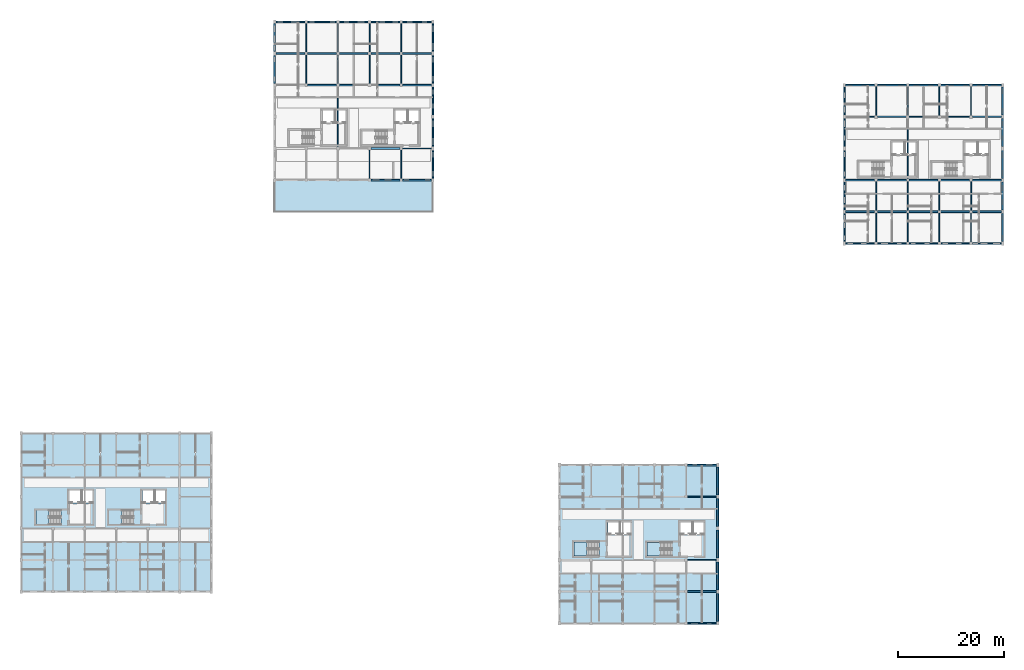
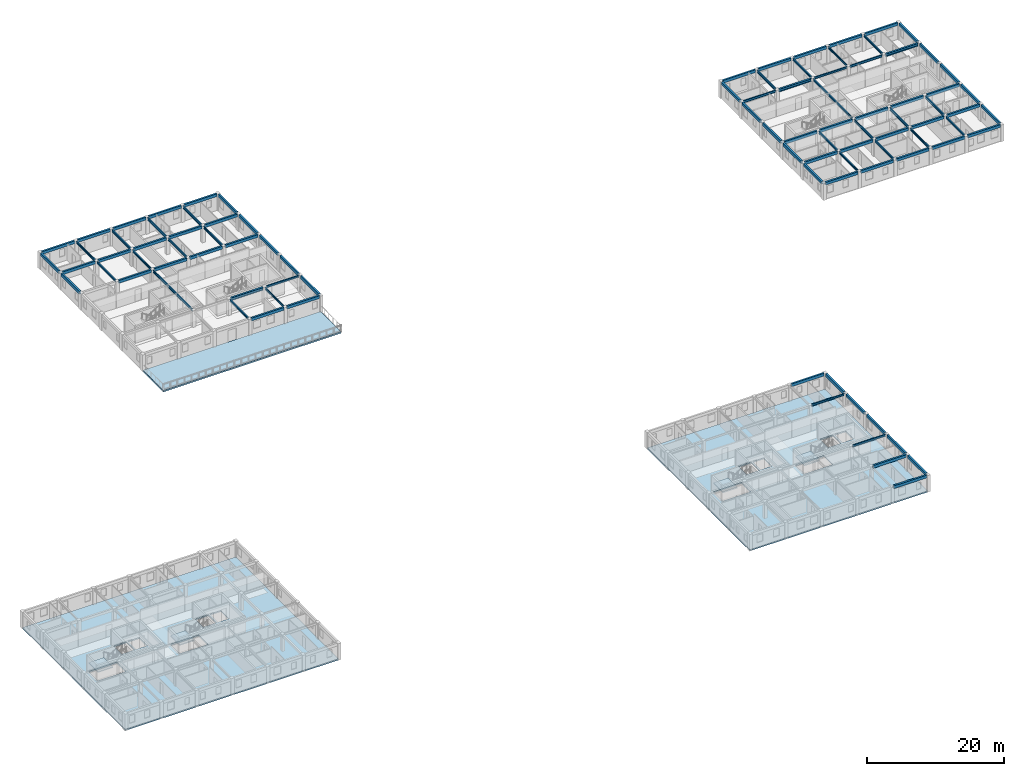
# One storey, part 4 of 28: 94 beams, 7 slabs, 4 elements without a shape of their own.
"""IFC4 building model written with IfcOpenShell, lengths in metres."""

import ifcopenshell
import ifcopenshell.guid

model = None  # the IFC model being written
_history = None  # IfcOwnerHistory: only IFC2X3 demands one
_inside = {}  # id of a spatial element -> (the spatial element, [elements in it])
_under = {}  # id of a project, library or spatial element -> (it, [spatial elements below it])
_declared = {}  # id of a project -> (the project, [libraries it declares])
_typed = {}  # id of a type object -> (the type object, [elements of that type])
_made_of = {}  # id of a material, layer set ... -> (it, [elements and type objects made of it])


def new_model(schema):
    """Start an empty IFC model of exactly this schema.

    Asked for "IFC4X3", IfcOpenShell would pick the latest addendum, in which some entities
    have other attributes; the version numbers below select the first issue.
    IFC2X3 requires an IfcOwnerHistory on every rooted entity: one is made here for all.
    """
    global model, _history
    if schema == "IFC4X3":
        model = ifcopenshell.file(schema_version=(4, 3, 0, 0))
    else:
        model = ifcopenshell.file(schema=schema)
    _inside.clear()
    _under.clear()
    _declared.clear()
    _typed.clear()
    _made_of.clear()
    _history = None
    if model.schema == "IFC2X3":
        org = make("IfcOrganization", Name="unknown")
        user = make(
            "IfcPersonAndOrganization",
            ThePerson=make("IfcPerson", FamilyName="unknown"),
            TheOrganization=org,
        )
        app = make(
            "IfcApplication",
            ApplicationDeveloper=org,
            Version="unknown",
            ApplicationFullName="unknown",
            ApplicationIdentifier="unknown",
        )
        _history = make(
            "IfcOwnerHistory",
            OwningUser=user,
            OwningApplication=app,
            ChangeAction="ADDED",
            CreationDate=0,
        )
    return model


def make(cls, **values):
    """One entity of the class cls with the attributes given. An attribute that is None is left unset."""
    return model.create_entity(
        cls, **{name: value for name, value in values.items() if value is not None}
    )


def rooted(cls, **values):
    """An entity with a GlobalId (a new one), such as an element, a storey or a relation."""
    return make(cls, GlobalId=ifcopenshell.guid.new(), OwnerHistory=_history, **values)


def si_unit(unit_type, name, prefix=None):
    """IfcSIUnit, for example si_unit("LENGTHUNIT", "METRE", prefix="MILLI")."""
    return make("IfcSIUnit", UnitType=unit_type, Prefix=prefix, Name=name)


def assignment(units):
    """IfcUnitAssignment: the units of a project."""
    return None if units is None else make("IfcUnitAssignment", Units=units)


def point(xyz):
    """IfcCartesianPoint."""
    return None if xyz is None else make("IfcCartesianPoint", Coordinates=xyz)


def direction(xyz):
    """IfcDirection."""
    return None if xyz is None else make("IfcDirection", DirectionRatios=xyz)


def frame(location, z_axis=None, x_axis=None):
    """IfcAxis2Placement3D, a coordinate frame: its origin and axes. An axis left out is left unset."""
    return make(
        "IfcAxis2Placement3D",
        Location=point(location),
        Axis=direction(z_axis),
        RefDirection=direction(x_axis),
    )


def frame_2d(location, x_axis=None):
    """IfcAxis2Placement2D, a coordinate frame in the plane: its origin and x axis."""
    return make(
        "IfcAxis2Placement2D", Location=point(location), RefDirection=direction(x_axis)
    )


def origin():
    """The frame at (0, 0, 0) with its axes left unset."""
    return frame((0.0, 0.0, 0.0))


def origin_2d():
    """The frame at (0, 0) in the plane with its x axis left unset."""
    return frame_2d((0.0, 0.0))


def place(relative_to, where):
    """IfcLocalPlacement: puts the frame where relative to a parent placement (None: the world)."""
    return make(
        "IfcLocalPlacement", PlacementRelTo=relative_to, RelativePlacement=where
    )


def context(
    kind, dimensions, precision=None, world=None, true_north=None, identifier=None
):
    """IfcGeometricRepresentationContext, for example the 3D "Model" context."""
    return make(
        "IfcGeometricRepresentationContext",
        ContextIdentifier=identifier,
        ContextType=kind,
        CoordinateSpaceDimension=dimensions,
        Precision=precision,
        WorldCoordinateSystem=world,
        TrueNorth=true_north,
    )


def subcontext(parent, identifier, kind, view, scale=None):
    """IfcGeometricRepresentationSubContext, for example "Body" below "Model"."""
    return make(
        "IfcGeometricRepresentationSubContext",
        ContextIdentifier=identifier,
        ContextType=kind,
        ParentContext=parent,
        TargetScale=scale,
        TargetView=view,
    )


def project(units=None, contexts=None):
    """IfcProject with its units and contexts."""
    return rooted(
        "IfcProject",
        Name="project",
        RepresentationContexts=contexts,
        UnitsInContext=assignment(units),
    )


def spatial(cls, under=None, at=None, **own):
    """A site, building, storey or space (cls), placed at a placement, below another one or the project."""
    s = rooted(cls, ObjectPlacement=at, **own)
    if under is not None:
        _under.setdefault(under.id(), (under, []))[1].append(s)
    return s


def polyline(points):
    """IfcPolyline through the points."""
    return make("IfcPolyline", Points=[point(p) for p in points])


def profile(cls, at=None, kind="AREA", **sizes):
    """A parametric profile (cls). Its sizes go by their IFC names, for example OverallWidth=200.0."""
    return make(cls, ProfileType=kind, Position=at, **sizes)


def rectangle(**sizes):
    """IfcRectangleProfileDef."""
    return profile("IfcRectangleProfileDef", **sizes)


def i_section(**sizes):
    """IfcIShapeProfileDef."""
    return profile("IfcIShapeProfileDef", **sizes)


def outline(outer, holes=None, kind="AREA"):
    """IfcArbitraryClosedProfileDef: a profile drawn as a closed curve; with holes, ...WithVoids."""
    if holes is None:
        return make("IfcArbitraryClosedProfileDef", ProfileType=kind, OuterCurve=outer)
    return make(
        "IfcArbitraryProfileDefWithVoids",
        ProfileType=kind,
        OuterCurve=outer,
        InnerCurves=holes,
    )


def extrude(swept, where, along, depth):
    """IfcExtrudedAreaSolid: the profile swept, set in the frame where, extruded along a direction by depth."""
    return make(
        "IfcExtrudedAreaSolid",
        SweptArea=swept,
        Position=where,
        ExtrudedDirection=direction(along),
        Depth=depth,
    )


def shape(context_of_items, identifier, shape_type, items):
    """IfcShapeRepresentation: the items that make up one representation, for example the "Body"."""
    return make(
        "IfcShapeRepresentation",
        ContextOfItems=context_of_items,
        RepresentationIdentifier=identifier,
        RepresentationType=shape_type,
        Items=items,
    )


def material(Name=None, Category=None):
    """IfcMaterial."""
    return make("IfcMaterial", Name=Name, Category=Category)


def layer(
    of_material, thickness, ventilated=None, Name=None, Category=None, Priority=None
):
    """IfcMaterialLayer: one layer of a wall or slab, of a material (None: an air gap)."""
    return make(
        "IfcMaterialLayer",
        Material=of_material,
        LayerThickness=thickness,
        IsVentilated=ventilated,
        Name=Name,
        Category=Category,
        Priority=Priority,
    )


def layer_set(layers, Name=None):
    """IfcMaterialLayerSet."""
    return make("IfcMaterialLayerSet", MaterialLayers=layers, LayerSetName=Name)


def material_profile(
    of_material, cross_section, Name=None, Category=None, Priority=None
):
    """IfcMaterialProfile: a cross section and its material."""
    return make(
        "IfcMaterialProfile",
        Name=Name,
        Material=of_material,
        Profile=cross_section,
        Priority=Priority,
        Category=Category,
    )


def profile_set(profiles, Name=None, composite=None):
    """IfcMaterialProfileSet."""
    return make(
        "IfcMaterialProfileSet",
        Name=Name,
        MaterialProfiles=profiles,
        CompositeProfile=composite,
    )


def made_of(thing, what):
    """Note that an element or type object is made of a material, layer set ...; save() writes the relation."""
    if what is not None:
        _made_of.setdefault(what.id(), (what, []))[1].append(thing)
    return thing


def type_object(cls, material=None, **own):
    """A type object (cls), such as IfcWallType, which elements share."""
    return made_of(rooted(cls, **own), material)


def element(
    cls,
    number,
    at=None,
    inside=None,
    cuts=None,
    type_object=None,
    material=None,
    context=None,
    identifier="Body",
    shape_type=None,
    held_by="IfcProductDefinitionShape",
    body=None,
    shapes=None,
    **own,
):
    """One element of the class cls, such as IfcWall. Its Tag is "e" and its number.

    at: its placement. inside: the storey or other place that contains it. cuts: it is an
    opening in that element (IfcRelVoidsElement). A single representation is given by context,
    identifier, shape_type and body (its items); several are given by shapes. held_by: the class
    of the entity that holds the representations. save() writes the other relations.
    """
    e = rooted(cls, Tag="e%d" % number, ObjectPlacement=at, **own)
    if body is not None:
        shapes = [shape(context, identifier, shape_type, body)]
    if shapes is not None:
        e.Representation = make(held_by, Representations=shapes)
    if inside is not None:
        _inside.setdefault(inside.id(), (inside, []))[1].append(e)
    if cuts is not None:
        rooted(
            "IfcRelVoidsElement", RelatingBuildingElement=cuts, RelatedOpeningElement=e
        )
    if type_object is not None:
        _typed.setdefault(type_object.id(), (type_object, []))[1].append(e)
    return made_of(e, material)


def aggregate(whole, parts):
    """IfcRelAggregates: a whole, such as a stair, and the parts it consists of."""
    return rooted("IfcRelAggregates", RelatingObject=whole, RelatedObjects=parts)


def save(model, path):
    """Write the relations noted so far, then the file.

    IfcRelAggregates (storeys below a building ...), IfcRelContainedInSpatialStructure (elements
    in a storey), IfcRelDefinesByType, IfcRelAssociatesMaterial and IfcRelDeclares: one each for
    every whole, place, type object, material and project.
    """
    for whole, parts in _under.values():
        aggregate(whole, parts)
    for where, things in _inside.values():
        rooted(
            "IfcRelContainedInSpatialStructure",
            RelatedElements=things,
            RelatingStructure=where,
        )
    for kind, things in _typed.values():
        rooted("IfcRelDefinesByType", RelatedObjects=things, RelatingType=kind)
    for what, things in _made_of.values():
        rooted("IfcRelAssociatesMaterial", RelatedObjects=things, RelatingMaterial=what)
    for by, libraries in _declared.values():
        rooted("IfcRelDeclares", RelatingContext=by, RelatedDefinitions=libraries)
    model.write(path)


model = new_model("IFC4")

# Units and contexts
model_context = context("Model", 3, precision=1e-05, world=origin(), true_north=direction((0.0, 1.0)))
body_context = subcontext(model_context, "Body", "Model", "MODEL_VIEW")
ifc_project = project(units=[si_unit("LENGTHUNIT", "METRE"), si_unit("AREAUNIT", "SQUARE_METRE"), si_unit("VOLUMEUNIT", "CUBIC_METRE"), si_unit("PLANEANGLEUNIT", "RADIAN"), si_unit("MASSUNIT", "GRAM", prefix="KILO"), si_unit("POWERUNIT", "WATT"), si_unit("THERMODYNAMICTEMPERATUREUNIT", "KELVIN")], contexts=[model_context])

# Site, building, storey
site_placement = place(None, origin())
site = spatial("IfcSite", under=ifc_project, at=site_placement, CompositionType="ELEMENT")
building_placement = place(site_placement, origin())
building = spatial("IfcBuilding", under=site, at=building_placement, Name="Ruvembo Vaulted Housing Court", CompositionType="ELEMENT")
storey_placement = place(building_placement, frame((0.0, 0.0, 23.699951171875)))
storey = spatial("IfcBuildingStorey", under=building, at=storey_placement, Name="L07", CompositionType="ELEMENT", Elevation=23.699951171875)

# Beams
ifc_material_1 = material(Name="Steel S355J2", Category="steel")
ifc_material_profile_1 = material_profile(ifc_material_1, i_section(OverallWidth=0.300048828125, OverallDepth=0.5, WebThickness=0.014404296875, FlangeThickness=0.028076171875, FilletRadius=0.027099609375, at=origin_2d()), Name="HEB 320")
ifc_profile_set_1 = profile_set([ifc_material_profile_1], Name="Steel S355J2")
beam_type_1 = type_object("IfcBeamType", Name="BM-ST-HEB320", PredefinedType="BEAM", material=ifc_profile_set_1)
for number, where, z_axis, x_axis, name in (
    (1, (66.260009765625, 90.0, 2.676025390625), (1.0, 0.0, 0.0), (0.0, 1.0, 0.0), "L07 Grid Beam X #2855"),
    (2, (162.260009765625, 96.0, 2.676025390625), (1.0, 0.0, 0.0), (0.0, 1.0, 0.0), "L07 Grid Beam X #2858"),
):
    element("IfcBeam", number, at=place(storey_placement, frame(where, z_axis=z_axis, x_axis=x_axis)), inside=storey, type_object=beam_type_1, Name=name, PredefinedType="BEAM", context=body_context, shape_type="SweptSolid", body=[
        extrude(i_section(OverallWidth=0.300048828125, OverallDepth=0.5, WebThickness=0.014404296875, FlangeThickness=0.028076171875, FilletRadius=0.027099609375, at=origin_2d()), origin(), (0.0, 0.0, 1.0), 5.47998046875),
    ])
beam_1_placement = place(storey_placement, frame((180.260009765625, 96.0, 2.676025390625), z_axis=(1.0, 0.0, 0.0), x_axis=(0.0, 1.0, 0.0)))
element("IfcBeam", 3, at=beam_1_placement, inside=storey, type_object=beam_type_1, Name="L07 Grid Beam X #2861", PredefinedType="BEAM", context=body_context, shape_type="SweptSolid", body=[
    extrude(i_section(OverallWidth=0.300048828125, OverallDepth=0.5, WebThickness=0.014404296875, FlangeThickness=0.028076171875, FilletRadius=0.027099609375, at=origin_2d()), origin(), (0.0, 0.0, 1.0), 5.5048828125),
])
ifc_material_profile_2 = material_profile(ifc_material_1, i_section(OverallWidth=0.169921875, OverallDepth=0.360107421875, WebThickness=0.008056640625, FlangeThickness=0.0126953125, FilletRadius=0.01806640625, at=origin_2d()), Name="IPE 360")
ifc_profile_set_2 = profile_set([ifc_material_profile_2], Name="Steel S355J2")
beam_type_2 = type_object("IfcBeamType", Name="BM-ST-IPE360", PredefinedType="BEAM", material=ifc_profile_set_2)
for number, where, z_axis, x_axis, name in (
    (4, (126.260009765625, 12.0, 2.74609375), (1.0, 0.0, 0.0), (0.0, 1.0, 0.0), "L07 Grid Beam X #2802"),
    (5, (126.260009765625, 24.0, 2.74609375), (1.0, 0.0, 0.0), (0.0, 1.0, 0.0), "L07 Grid Beam X #2814"),
    (6, (72.260009765625, 90.0, 2.74609375), (1.0, 0.0, 0.0), (0.0, 1.0, 0.0), "L07 Grid Beam X #2856"),
):
    element("IfcBeam", number, at=place(storey_placement, frame(where, z_axis=z_axis, x_axis=x_axis)), inside=storey, type_object=beam_type_2, Name=name, PredefinedType="BEAM", context=body_context, shape_type="SweptSolid", body=[
        extrude(i_section(OverallWidth=0.169921875, OverallDepth=0.360107421875, WebThickness=0.008056640625, FlangeThickness=0.0126953125, FilletRadius=0.01806640625, at=origin_2d()), origin(), (0.0, 0.0, 1.0), 5.5048828125),
    ])
for number, where, z_axis, x_axis, name in (
    (7, (168.260009765625, 96.0, 2.74609375), (1.0, 0.0, 0.0), (0.0, 1.0, 0.0), "L07 Grid Beam X #2859"),
    (8, (54.0, 102.260009765625, 2.74609375), (0.0, 1.0, 0.0), (-1.0, 0.0, 0.0), "L07 Grid Beam Y #2916"),
    (9, (66.0, 84.260009765625, 2.74609375), (0.0, 1.0, 0.0), (-1.0, 0.0, 0.0), "L07 Grid Beam Y #2922"),
    (10, (72.0, 84.260009765625, 2.74609375), (0.0, 1.0, 0.0), (-1.0, 0.0, 0.0), "L07 Grid Beam Y #2925"),
    (11, (162.0, 72.260009765625, 2.74609375), (0.0, 1.0, 0.0), (-1.0, 0.0, 0.0), "L07 Grid Beam Y #2961"),
    (12, (168.0, 72.260009765625, 2.74609375), (0.0, 1.0, 0.0), (-1.0, 0.0, 0.0), "L07 Grid Beam Y #2964"),
    (13, (168.0, 96.260009765625, 2.74609375), (0.0, 1.0, 0.0), (-1.0, 0.0, 0.0), "L07 Grid Beam Y #2967"),
    (14, (174.0, 96.260009765625, 2.74609375), (0.0, 1.0, 0.0), (-1.0, 0.0, 0.0), "L07 Grid Beam Y #2970"),
    (15, (180.0, 96.260009765625, 2.74609375), (0.0, 1.0, 0.0), (-1.0, 0.0, 0.0), "L07 Grid Beam Y #2973"),
):
    element("IfcBeam", number, at=place(storey_placement, frame(where, z_axis=z_axis, x_axis=x_axis)), inside=storey, type_object=beam_type_2, Name=name, PredefinedType="BEAM", context=body_context, shape_type="SweptSolid", body=[
        extrude(i_section(OverallWidth=0.169921875, OverallDepth=0.360107421875, WebThickness=0.008056640625, FlangeThickness=0.0126953125, FilletRadius=0.01806640625, at=origin_2d()), origin(), (0.0, 0.0, 1.0), 5.47998046875),
    ])
ifc_material_profile_3 = material_profile(ifc_material_1, i_section(OverallWidth=0.179931640625, OverallDepth=0.39990234375, WebThickness=0.008544921875, FlangeThickness=0.013427734375, FilletRadius=0.02099609375, at=origin_2d()), Name="IPE 400")
ifc_profile_set_3 = profile_set([ifc_material_profile_3], Name="Steel S355J2")
beam_type_3 = type_object("IfcBeamType", Name="BM-ST-IPE400", PredefinedType="BEAM", material=ifc_profile_set_3)
beam_2_placement = place(storey_placement, frame((156.235107421875, 96.0, 2.72607421875), z_axis=(1.0, 0.0, 0.0), x_axis=(0.0, 1.0, 0.0)))
element("IfcBeam", 16, at=beam_2_placement, inside=storey, type_object=beam_type_3, Name="L07 Grid Beam X #2857", PredefinedType="BEAM", context=body_context, shape_type="SweptSolid", body=[
    extrude(i_section(OverallWidth=0.179931640625, OverallDepth=0.39990234375, WebThickness=0.008544921875, FlangeThickness=0.013427734375, FilletRadius=0.02099609375, at=origin_2d()), origin(), (0.0, 0.0, 1.0), 5.5048828125),
])
for number, where, z_axis, x_axis, name in (
    (17, (174.260009765625, 96.0, 2.72607421875), (1.0, 0.0, 0.0), (0.0, 1.0, 0.0), "L07 Grid Beam X #2860"),
    (18, (54.0, 108.260009765625, 2.72607421875), (0.0, 1.0, 0.0), (-1.0, 0.0, 0.0), "L07 Grid Beam Y #2917"),
):
    element("IfcBeam", number, at=place(storey_placement, frame(where, z_axis=z_axis, x_axis=x_axis)), inside=storey, type_object=beam_type_3, Name=name, PredefinedType="BEAM", context=body_context, shape_type="SweptSolid", body=[
        extrude(i_section(OverallWidth=0.179931640625, OverallDepth=0.39990234375, WebThickness=0.008544921875, FlangeThickness=0.013427734375, FilletRadius=0.02099609375, at=origin_2d()), origin(), (0.0, 0.0, 1.0), 5.47998046875),
    ])
beam_3_placement = place(storey_placement, frame((60.0, 90.260009765625, 2.72607421875), z_axis=(0.0, 1.0, 0.0), x_axis=(-1.0, 0.0, 0.0)))
element("IfcBeam", 19, at=beam_3_placement, inside=storey, type_object=beam_type_3, Name="L07 Grid Beam Y #2919", PredefinedType="BEAM", context=body_context, shape_type="SweptSolid", body=[
    extrude(i_section(OverallWidth=0.179931640625, OverallDepth=0.39990234375, WebThickness=0.008544921875, FlangeThickness=0.013427734375, FilletRadius=0.02099609375, at=origin_2d()), origin(), (0.0, 0.0, 1.0), 11.47998046875),
])
for number, where, z_axis, x_axis, name in (
    (20, (60.0, 102.260009765625, 2.72607421875), (0.0, 1.0, 0.0), (-1.0, 0.0, 0.0), "L07 Grid Beam Y #2920"),
    (21, (66.0, 102.260009765625, 2.72607421875), (0.0, 1.0, 0.0), (-1.0, 0.0, 0.0), "L07 Grid Beam Y #2923"),
    (22, (72.0, 102.260009765625, 2.72607421875), (0.0, 1.0, 0.0), (-1.0, 0.0, 0.0), "L07 Grid Beam Y #2926"),
    (23, (162.0, 78.260009765625, 2.72607421875), (0.0, 1.0, 0.0), (-1.0, 0.0, 0.0), "L07 Grid Beam Y #2962"),
    (24, (168.0, 78.260009765625, 2.72607421875), (0.0, 1.0, 0.0), (-1.0, 0.0, 0.0), "L07 Grid Beam Y #2965"),
):
    element("IfcBeam", number, at=place(storey_placement, frame(where, z_axis=z_axis, x_axis=x_axis)), inside=storey, type_object=beam_type_3, Name=name, PredefinedType="BEAM", context=body_context, shape_type="SweptSolid", body=[
        extrude(i_section(OverallWidth=0.179931640625, OverallDepth=0.39990234375, WebThickness=0.008544921875, FlangeThickness=0.013427734375, FilletRadius=0.02099609375, at=origin_2d()), origin(), (0.0, 0.0, 1.0), 5.47998046875),
    ])
beam_4_placement = place(storey_placement, frame((168.0, 84.260009765625, 2.72607421875), z_axis=(0.0, 1.0, 0.0), x_axis=(-1.0, 0.0, 0.0)))
element("IfcBeam", 25, at=beam_4_placement, inside=storey, type_object=beam_type_3, Name="L07 Grid Beam Y #2966", PredefinedType="BEAM", context=body_context, shape_type="SweptSolid", body=[
    extrude(i_section(OverallWidth=0.179931640625, OverallDepth=0.39990234375, WebThickness=0.008544921875, FlangeThickness=0.013427734375, FilletRadius=0.02099609375, at=origin_2d()), origin(), (0.0, 0.0, 1.0), 11.47998046875),
])
for number, where, z_axis, x_axis, name in (
    (26, (174.0, 72.260009765625, 2.72607421875), (0.0, 1.0, 0.0), (-1.0, 0.0, 0.0), "L07 Grid Beam Y #2968"),
    (27, (180.0, 72.260009765625, 2.72607421875), (0.0, 1.0, 0.0), (-1.0, 0.0, 0.0), "L07 Grid Beam Y #2971"),
):
    element("IfcBeam", number, at=place(storey_placement, frame(where, z_axis=z_axis, x_axis=x_axis)), inside=storey, type_object=beam_type_3, Name=name, PredefinedType="BEAM", context=body_context, shape_type="SweptSolid", body=[
        extrude(i_section(OverallWidth=0.179931640625, OverallDepth=0.39990234375, WebThickness=0.008544921875, FlangeThickness=0.013427734375, FilletRadius=0.02099609375, at=origin_2d()), origin(), (0.0, 0.0, 1.0), 5.47998046875),
    ])
ifc_material_profile_4 = material_profile(ifc_material_1, i_section(OverallWidth=0.18994140625, OverallDepth=0.449951171875, WebThickness=0.009521484375, FlangeThickness=0.0146484375, FilletRadius=0.02099609375, at=origin_2d()), Name="IPE 450")
ifc_profile_set_4 = profile_set([ifc_material_profile_4], Name="Steel S355J2")
beam_type_4 = type_object("IfcBeamType", Name="BM-ST-IPE450", PredefinedType="BEAM", material=ifc_profile_set_4)
for number, where, z_axis, x_axis, name in (
    (28, (60.0, 108.260009765625, 2.700927734375), (0.0, 1.0, 0.0), (-1.0, 0.0, 0.0), "L07 Grid Beam Y #2921"),
    (29, (66.0, 108.260009765625, 2.700927734375), (0.0, 1.0, 0.0), (-1.0, 0.0, 0.0), "L07 Grid Beam Y #2924"),
    (30, (72.0, 108.260009765625, 2.700927734375), (0.0, 1.0, 0.0), (-1.0, 0.0, 0.0), "L07 Grid Beam Y #2927"),
    (31, (162.0, 96.260009765625, 2.700927734375), (0.0, 1.0, 0.0), (-1.0, 0.0, 0.0), "L07 Grid Beam Y #2963"),
    (32, (174.0, 78.260009765625, 2.700927734375), (0.0, 1.0, 0.0), (-1.0, 0.0, 0.0), "L07 Grid Beam Y #2969"),
    (33, (180.0, 78.260009765625, 2.700927734375), (0.0, 1.0, 0.0), (-1.0, 0.0, 0.0), "L07 Grid Beam Y #2972"),
):
    element("IfcBeam", number, at=place(storey_placement, frame(where, z_axis=z_axis, x_axis=x_axis)), inside=storey, type_object=beam_type_4, Name=name, PredefinedType="BEAM", context=body_context, shape_type="SweptSolid", body=[
        extrude(i_section(OverallWidth=0.18994140625, OverallDepth=0.449951171875, WebThickness=0.009521484375, FlangeThickness=0.0146484375, FilletRadius=0.02099609375, at=origin_2d()), origin(), (0.0, 0.0, 1.0), 5.47998046875),
    ])
ifc_material_2 = material(Name="Concrete C35/45", Category="concrete")
ifc_material_profile_5 = material_profile(ifc_material_2, rectangle(XDim=0.300048828125, YDim=0.5, at=origin_2d()), Name="RC 300x500")
ifc_profile_set_5 = profile_set([ifc_material_profile_5], Name="Concrete C35/45")
beam_type_5 = type_object("IfcBeamType", Name="SP-RC-300x500", PredefinedType="SPANDREL", material=ifc_profile_set_5)
for number, where, z_axis, x_axis, name in (
    (34, (126.260009765625, 0.0, 2.72509765625), (1.0, 0.0, 0.0), (0.0, 1.0, 0.0), "L07 Grid Beam X #2780"),
    (35, (126.260009765625, 6.0, 2.72509765625), (1.0, 0.0, 0.0), (0.0, 1.0, 0.0), "L07 Grid Beam X #2791"),
    (36, (126.260009765625, 30.0, 2.72509765625), (1.0, 0.0, 0.0), (0.0, 1.0, 0.0), "L07 Grid Beam X #2825"),
    (37, (156.235107421875, 72.0, 2.72509765625), (1.0, 0.0, 0.0), (0.0, 1.0, 0.0), "L07 Grid Beam X #2832"),
):
    element("IfcBeam", number, at=place(storey_placement, frame(where, z_axis=z_axis, x_axis=x_axis)), inside=storey, type_object=beam_type_5, Name=name, PredefinedType="SPANDREL", context=body_context, shape_type="SweptSolid", body=[
        extrude(rectangle(XDim=0.300048828125, YDim=0.5, at=origin_2d()), origin(), (0.0, 0.0, 1.0), 5.5048828125),
    ])
for number, where, z_axis, x_axis, name in (
    (38, (162.260009765625, 72.0, 2.72509765625), (1.0, 0.0, 0.0), (0.0, 1.0, 0.0), "L07 Grid Beam X #2833"),
    (39, (168.260009765625, 72.0, 2.72509765625), (1.0, 0.0, 0.0), (0.0, 1.0, 0.0), "L07 Grid Beam X #2834"),
    (40, (174.260009765625, 72.0, 2.72509765625), (1.0, 0.0, 0.0), (0.0, 1.0, 0.0), "L07 Grid Beam X #2835"),
):
    element("IfcBeam", number, at=place(storey_placement, frame(where, z_axis=z_axis, x_axis=x_axis)), inside=storey, type_object=beam_type_5, Name=name, PredefinedType="SPANDREL", context=body_context, shape_type="SweptSolid", body=[
        extrude(rectangle(XDim=0.300048828125, YDim=0.5, at=origin_2d()), origin(), (0.0, 0.0, 1.0), 5.47998046875),
    ])
for number, where, z_axis, x_axis, name in (
    (41, (180.260009765625, 72.0, 2.72509765625), (1.0, 0.0, 0.0), (0.0, 1.0, 0.0), "L07 Grid Beam X #2836"),
    (42, (156.235107421875, 78.0, 2.72509765625), (1.0, 0.0, 0.0), (0.0, 1.0, 0.0), "L07 Grid Beam X #2837"),
):
    element("IfcBeam", number, at=place(storey_placement, frame(where, z_axis=z_axis, x_axis=x_axis)), inside=storey, type_object=beam_type_5, Name=name, PredefinedType="SPANDREL", context=body_context, shape_type="SweptSolid", body=[
        extrude(rectangle(XDim=0.300048828125, YDim=0.5, at=origin_2d()), origin(), (0.0, 0.0, 1.0), 5.5048828125),
    ])
for number, where, z_axis, x_axis, name in (
    (43, (162.260009765625, 78.0, 2.72509765625), (1.0, 0.0, 0.0), (0.0, 1.0, 0.0), "L07 Grid Beam X #2838"),
    (44, (168.260009765625, 78.0, 2.72509765625), (1.0, 0.0, 0.0), (0.0, 1.0, 0.0), "L07 Grid Beam X #2839"),
    (45, (174.260009765625, 78.0, 2.72509765625), (1.0, 0.0, 0.0), (0.0, 1.0, 0.0), "L07 Grid Beam X #2840"),
):
    element("IfcBeam", number, at=place(storey_placement, frame(where, z_axis=z_axis, x_axis=x_axis)), inside=storey, type_object=beam_type_5, Name=name, PredefinedType="SPANDREL", context=body_context, shape_type="SweptSolid", body=[
        extrude(rectangle(XDim=0.300048828125, YDim=0.5, at=origin_2d()), origin(), (0.0, 0.0, 1.0), 5.47998046875),
    ])
beam_5_placement = place(storey_placement, frame((180.260009765625, 78.0, 2.72509765625), z_axis=(1.0, 0.0, 0.0), x_axis=(0.0, 1.0, 0.0)))
element("IfcBeam", 46, at=beam_5_placement, inside=storey, type_object=beam_type_5, Name="L07 Grid Beam X #2841", PredefinedType="SPANDREL", context=body_context, shape_type="SweptSolid", body=[
    extrude(rectangle(XDim=0.300048828125, YDim=0.5, at=origin_2d()), origin(), (0.0, 0.0, 1.0), 5.5048828125),
])
beam_6_placement = place(storey_placement, frame((66.260009765625, 84.0, 2.72509765625), z_axis=(1.0, 0.0, 0.0), x_axis=(0.0, 1.0, 0.0)))
element("IfcBeam", 47, at=beam_6_placement, inside=storey, type_object=beam_type_5, Name="L07 Grid Beam X #2845", PredefinedType="SPANDREL", context=body_context, shape_type="SweptSolid", body=[
    extrude(rectangle(XDim=0.300048828125, YDim=0.5, at=origin_2d()), origin(), (0.0, 0.0, 1.0), 5.47998046875),
])
for number, where, z_axis, x_axis, name in (
    (48, (72.260009765625, 84.0, 2.72509765625), (1.0, 0.0, 0.0), (0.0, 1.0, 0.0), "L07 Grid Beam X #2846"),
    (49, (156.235107421875, 84.0, 2.72509765625), (1.0, 0.0, 0.0), (0.0, 1.0, 0.0), "L07 Grid Beam X #2847"),
):
    element("IfcBeam", number, at=place(storey_placement, frame(where, z_axis=z_axis, x_axis=x_axis)), inside=storey, type_object=beam_type_5, Name=name, PredefinedType="SPANDREL", context=body_context, shape_type="SweptSolid", body=[
        extrude(rectangle(XDim=0.300048828125, YDim=0.5, at=origin_2d()), origin(), (0.0, 0.0, 1.0), 5.5048828125),
    ])
for number, where, z_axis, x_axis, name in (
    (50, (162.260009765625, 84.0, 2.72509765625), (1.0, 0.0, 0.0), (0.0, 1.0, 0.0), "L07 Grid Beam X #2848"),
    (51, (168.260009765625, 84.0, 2.72509765625), (1.0, 0.0, 0.0), (0.0, 1.0, 0.0), "L07 Grid Beam X #2849"),
    (52, (174.260009765625, 84.0, 2.72509765625), (1.0, 0.0, 0.0), (0.0, 1.0, 0.0), "L07 Grid Beam X #2850"),
):
    element("IfcBeam", number, at=place(storey_placement, frame(where, z_axis=z_axis, x_axis=x_axis)), inside=storey, type_object=beam_type_5, Name=name, PredefinedType="SPANDREL", context=body_context, shape_type="SweptSolid", body=[
        extrude(rectangle(XDim=0.300048828125, YDim=0.5, at=origin_2d()), origin(), (0.0, 0.0, 1.0), 5.47998046875),
    ])
beam_7_placement = place(storey_placement, frame((180.260009765625, 84.0, 2.72509765625), z_axis=(1.0, 0.0, 0.0), x_axis=(0.0, 1.0, 0.0)))
element("IfcBeam", 53, at=beam_7_placement, inside=storey, type_object=beam_type_5, Name="L07 Grid Beam X #2851", PredefinedType="SPANDREL", context=body_context, shape_type="SweptSolid", body=[
    extrude(rectangle(XDim=0.300048828125, YDim=0.5, at=origin_2d()), origin(), (0.0, 0.0, 1.0), 5.5048828125),
])
for number, where, z_axis, x_axis, name in (
    (54, (54.260009765625, 102.0, 2.72509765625), (1.0, 0.0, 0.0), (0.0, 1.0, 0.0), "L07 Grid Beam X #2863"),
    (55, (60.260009765625, 102.0, 2.72509765625), (1.0, 0.0, 0.0), (0.0, 1.0, 0.0), "L07 Grid Beam X #2864"),
    (56, (66.260009765625, 102.0, 2.72509765625), (1.0, 0.0, 0.0), (0.0, 1.0, 0.0), "L07 Grid Beam X #2865"),
):
    element("IfcBeam", number, at=place(storey_placement, frame(where, z_axis=z_axis, x_axis=x_axis)), inside=storey, type_object=beam_type_5, Name=name, PredefinedType="SPANDREL", context=body_context, shape_type="SweptSolid", body=[
        extrude(rectangle(XDim=0.300048828125, YDim=0.5, at=origin_2d()), origin(), (0.0, 0.0, 1.0), 5.47998046875),
    ])
for number, where, z_axis, x_axis, name in (
    (57, (72.260009765625, 102.0, 2.72509765625), (1.0, 0.0, 0.0), (0.0, 1.0, 0.0), "L07 Grid Beam X #2866"),
    (58, (156.235107421875, 102.0, 2.72509765625), (1.0, 0.0, 0.0), (0.0, 1.0, 0.0), "L07 Grid Beam X #2867"),
):
    element("IfcBeam", number, at=place(storey_placement, frame(where, z_axis=z_axis, x_axis=x_axis)), inside=storey, type_object=beam_type_5, Name=name, PredefinedType="SPANDREL", context=body_context, shape_type="SweptSolid", body=[
        extrude(rectangle(XDim=0.300048828125, YDim=0.5, at=origin_2d()), origin(), (0.0, 0.0, 1.0), 5.5048828125),
    ])
for number, where, z_axis, x_axis, name in (
    (59, (162.260009765625, 102.0, 2.72509765625), (1.0, 0.0, 0.0), (0.0, 1.0, 0.0), "L07 Grid Beam X #2868"),
    (60, (168.260009765625, 102.0, 2.72509765625), (1.0, 0.0, 0.0), (0.0, 1.0, 0.0), "L07 Grid Beam X #2869"),
    (61, (174.260009765625, 102.0, 2.72509765625), (1.0, 0.0, 0.0), (0.0, 1.0, 0.0), "L07 Grid Beam X #2870"),
):
    element("IfcBeam", number, at=place(storey_placement, frame(where, z_axis=z_axis, x_axis=x_axis)), inside=storey, type_object=beam_type_5, Name=name, PredefinedType="SPANDREL", context=body_context, shape_type="SweptSolid", body=[
        extrude(rectangle(XDim=0.300048828125, YDim=0.5, at=origin_2d()), origin(), (0.0, 0.0, 1.0), 5.47998046875),
    ])
for number, where, z_axis, x_axis, name in (
    (62, (180.260009765625, 102.0, 2.72509765625), (1.0, 0.0, 0.0), (0.0, 1.0, 0.0), "L07 Grid Beam X #2871"),
    (63, (48.235107421875, 108.0, 2.72509765625), (1.0, 0.0, 0.0), (0.0, 1.0, 0.0), "L07 Grid Beam X #2872"),
):
    element("IfcBeam", number, at=place(storey_placement, frame(where, z_axis=z_axis, x_axis=x_axis)), inside=storey, type_object=beam_type_5, Name=name, PredefinedType="SPANDREL", context=body_context, shape_type="SweptSolid", body=[
        extrude(rectangle(XDim=0.300048828125, YDim=0.5, at=origin_2d()), origin(), (0.0, 0.0, 1.0), 5.5048828125),
    ])
for number, where, z_axis, x_axis, name in (
    (64, (54.260009765625, 108.0, 2.72509765625), (1.0, 0.0, 0.0), (0.0, 1.0, 0.0), "L07 Grid Beam X #2873"),
    (65, (60.260009765625, 108.0, 2.72509765625), (1.0, 0.0, 0.0), (0.0, 1.0, 0.0), "L07 Grid Beam X #2874"),
    (66, (66.260009765625, 108.0, 2.72509765625), (1.0, 0.0, 0.0), (0.0, 1.0, 0.0), "L07 Grid Beam X #2875"),
):
    element("IfcBeam", number, at=place(storey_placement, frame(where, z_axis=z_axis, x_axis=x_axis)), inside=storey, type_object=beam_type_5, Name=name, PredefinedType="SPANDREL", context=body_context, shape_type="SweptSolid", body=[
        extrude(rectangle(XDim=0.300048828125, YDim=0.5, at=origin_2d()), origin(), (0.0, 0.0, 1.0), 5.47998046875),
    ])
for number, where, z_axis, x_axis, name in (
    (67, (72.260009765625, 108.0, 2.72509765625), (1.0, 0.0, 0.0), (0.0, 1.0, 0.0), "L07 Grid Beam X #2876"),
    (68, (48.235107421875, 114.0, 2.72509765625), (1.0, 0.0, 0.0), (0.0, 1.0, 0.0), "L07 Grid Beam X #2877"),
):
    element("IfcBeam", number, at=place(storey_placement, frame(where, z_axis=z_axis, x_axis=x_axis)), inside=storey, type_object=beam_type_5, Name=name, PredefinedType="SPANDREL", context=body_context, shape_type="SweptSolid", body=[
        extrude(rectangle(XDim=0.300048828125, YDim=0.5, at=origin_2d()), origin(), (0.0, 0.0, 1.0), 5.5048828125),
    ])
for number, where, z_axis, x_axis, name in (
    (69, (54.260009765625, 114.0, 2.72509765625), (1.0, 0.0, 0.0), (0.0, 1.0, 0.0), "L07 Grid Beam X #2878"),
    (70, (60.260009765625, 114.0, 2.72509765625), (1.0, 0.0, 0.0), (0.0, 1.0, 0.0), "L07 Grid Beam X #2879"),
    (71, (66.260009765625, 114.0, 2.72509765625), (1.0, 0.0, 0.0), (0.0, 1.0, 0.0), "L07 Grid Beam X #2880"),
):
    element("IfcBeam", number, at=place(storey_placement, frame(where, z_axis=z_axis, x_axis=x_axis)), inside=storey, type_object=beam_type_5, Name=name, PredefinedType="SPANDREL", context=body_context, shape_type="SweptSolid", body=[
        extrude(rectangle(XDim=0.300048828125, YDim=0.5, at=origin_2d()), origin(), (0.0, 0.0, 1.0), 5.47998046875),
    ])
beam_8_placement = place(storey_placement, frame((72.260009765625, 114.0, 2.72509765625), z_axis=(1.0, 0.0, 0.0), x_axis=(0.0, 1.0, 0.0)))
element("IfcBeam", 72, at=beam_8_placement, inside=storey, type_object=beam_type_5, Name="L07 Grid Beam X #2881", PredefinedType="SPANDREL", context=body_context, shape_type="SweptSolid", body=[
    extrude(rectangle(XDim=0.300048828125, YDim=0.5, at=origin_2d()), origin(), (0.0, 0.0, 1.0), 5.5048828125),
])
for number, where, z_axis, x_axis, name in (
    (73, (48.0, 102.3349609375, 2.72509765625), (0.0, 1.0, 0.0), (-1.0, 0.0, 0.0), "L07 Grid Beam Y #2913"),
    (74, (48.0, 108.3349609375, 2.72509765625), (0.0, 1.0, 0.0), (-1.0, 0.0, 0.0), "L07 Grid Beam Y #2914"),
    (75, (78.0, 84.3349609375, 2.72509765625), (0.0, 1.0, 0.0), (-1.0, 0.0, 0.0), "L07 Grid Beam Y #2928"),
    (76, (78.0, 90.3349609375, 2.72509765625), (0.0, 1.0, 0.0), (-1.0, 0.0, 0.0), "L07 Grid Beam Y #2929"),
    (77, (78.0, 96.3349609375, 2.72509765625), (0.0, 1.0, 0.0), (-1.0, 0.0, 0.0), "L07 Grid Beam Y #2930"),
    (78, (78.0, 102.3349609375, 2.72509765625), (0.0, 1.0, 0.0), (-1.0, 0.0, 0.0), "L07 Grid Beam Y #2931"),
    (79, (78.0, 108.3349609375, 2.72509765625), (0.0, 1.0, 0.0), (-1.0, 0.0, 0.0), "L07 Grid Beam Y #2932"),
    (80, (132.0, 0.3349609375, 2.72509765625), (0.0, 1.0, 0.0), (-1.0, 0.0, 0.0), "L07 Grid Beam Y #2951"),
    (81, (132.0, 6.3349609375, 2.72509765625), (0.0, 1.0, 0.0), (-1.0, 0.0, 0.0), "L07 Grid Beam Y #2952"),
    (82, (132.0, 12.3349609375, 2.72509765625), (0.0, 1.0, 0.0), (-1.0, 0.0, 0.0), "L07 Grid Beam Y #2953"),
    (83, (132.0, 18.3349609375, 2.72509765625), (0.0, 1.0, 0.0), (-1.0, 0.0, 0.0), "L07 Grid Beam Y #2954"),
    (84, (132.0, 24.3349609375, 2.72509765625), (0.0, 1.0, 0.0), (-1.0, 0.0, 0.0), "L07 Grid Beam Y #2955"),
    (85, (156.0, 72.3349609375, 2.72509765625), (0.0, 1.0, 0.0), (-1.0, 0.0, 0.0), "L07 Grid Beam Y #2956"),
    (86, (156.0, 78.3349609375, 2.72509765625), (0.0, 1.0, 0.0), (-1.0, 0.0, 0.0), "L07 Grid Beam Y #2957"),
    (87, (156.0, 84.3349609375, 2.72509765625), (0.0, 1.0, 0.0), (-1.0, 0.0, 0.0), "L07 Grid Beam Y #2958"),
    (88, (156.0, 90.3349609375, 2.72509765625), (0.0, 1.0, 0.0), (-1.0, 0.0, 0.0), "L07 Grid Beam Y #2959"),
    (89, (156.0, 96.3349609375, 2.72509765625), (0.0, 1.0, 0.0), (-1.0, 0.0, 0.0), "L07 Grid Beam Y #2960"),
    (90, (186.0, 72.3349609375, 2.72509765625), (0.0, 1.0, 0.0), (-1.0, 0.0, 0.0), "L07 Grid Beam Y #2974"),
    (91, (186.0, 78.3349609375, 2.72509765625), (0.0, 1.0, 0.0), (-1.0, 0.0, 0.0), "L07 Grid Beam Y #2975"),
    (92, (186.0, 84.3349609375, 2.72509765625), (0.0, 1.0, 0.0), (-1.0, 0.0, 0.0), "L07 Grid Beam Y #2976"),
    (93, (186.0, 90.3349609375, 2.72509765625), (0.0, 1.0, 0.0), (-1.0, 0.0, 0.0), "L07 Grid Beam Y #2977"),
    (94, (186.0, 96.3349609375, 2.72509765625), (0.0, 1.0, 0.0), (-1.0, 0.0, 0.0), "L07 Grid Beam Y #2978"),
):
    element("IfcBeam", number, at=place(storey_placement, frame(where, z_axis=z_axis, x_axis=x_axis)), inside=storey, type_object=beam_type_5, Name=name, PredefinedType="SPANDREL", context=body_context, shape_type="SweptSolid", body=[
        extrude(rectangle(XDim=0.300048828125, YDim=0.5, at=origin_2d()), origin(), (0.0, 0.0, 1.0), 5.330078125),
    ])

# Slabs
ifc_material_3 = material(Name="Concrete C30/37", Category="concrete")
ifc_layer_1 = layer(ifc_material_3, 0.22998046875, Name="Concrete C30/37")
ifc_layer_set_1 = layer_set([ifc_layer_1], Name="Concrete C30/37")
slab_type_1 = type_object("IfcSlabType", Name="SL-FLR-230", PredefinedType="FLOOR", material=ifc_layer_set_1)
slab_1_placement = place(storey_placement, frame((0.0, 0.0, -0.22998046875)))
element("IfcSlab", 95, at=slab_1_placement, inside=storey, type_object=slab_type_1, Name="Block A L07 Structural Floor Slab", PredefinedType="FLOOR", context=body_context, shape_type="SweptSolid", body=[
    extrude(outline(polyline([(36.0, 6.0), (36.0, 36.0), (0.0, 36.0), (0.0, 6.0), (36.0, 6.0)]), holes=[polyline([(7.5, 21.449951171875), (2.75, 21.449951171875), (2.75, 18.75), (7.5, 18.75), (7.5, 21.449951171875)]), polyline([(9.14990234375, 22.85009765625), (11.35009765625, 22.85009765625), (11.35009765625, 25.25), (9.14990234375, 25.25), (9.14990234375, 22.85009765625)]), polyline([(11.60009765625, 22.85009765625), (13.449951171875, 22.85009765625), (13.449951171875, 25.25), (11.60009765625, 25.25), (11.60009765625, 22.85009765625)]), polyline([(21.300048828125, 21.449951171875), (16.550048828125, 21.449951171875), (16.550048828125, 18.75), (21.300048828125, 18.75), (21.300048828125, 21.449951171875)]), polyline([(22.949951171875, 22.85009765625), (25.14990234375, 22.85009765625), (25.14990234375, 25.25), (22.949951171875, 25.25), (22.949951171875, 22.85009765625)]), polyline([(25.39990234375, 22.85009765625), (27.25, 22.85009765625), (27.25, 25.25), (25.39990234375, 25.25), (25.39990234375, 22.85009765625)])]), origin(), (0.0, 0.0, 1.0), 0.22998046875),
])
slab_2_placement = place(storey_placement, frame((0.0, 0.0, -0.22998046875)))
element("IfcSlab", 96, at=slab_2_placement, inside=storey, type_object=slab_type_1, Name="Block C L07 Structural Floor Slab", PredefinedType="FLOOR", context=body_context, shape_type="SweptSolid", body=[
    extrude(outline(polyline([(132.0, 0.0), (132.0, 30.0), (102.0, 30.0), (102.0, 0.0), (132.0, 0.0)]), holes=[polyline([(109.5, 15.449951171875), (104.75, 15.449951171875), (104.75, 12.75), (109.5, 12.75), (109.5, 15.449951171875)]), polyline([(111.14990234375, 16.85009765625), (113.35009765625, 16.85009765625), (113.35009765625, 19.25), (111.14990234375, 19.25), (111.14990234375, 16.85009765625)]), polyline([(113.60009765625, 16.85009765625), (115.449951171875, 16.85009765625), (115.449951171875, 19.25), (113.60009765625, 19.25), (113.60009765625, 16.85009765625)]), polyline([(123.35009765625, 15.35009765625), (118.550048828125, 15.35009765625), (118.550048828125, 12.75), (123.35009765625, 12.75), (123.35009765625, 15.35009765625)]), polyline([(124.949951171875, 16.85009765625), (127.14990234375, 16.85009765625), (127.14990234375, 19.25), (124.949951171875, 19.25), (124.949951171875, 16.85009765625)]), polyline([(127.39990234375, 16.85009765625), (129.25, 16.85009765625), (129.25, 19.25), (127.39990234375, 19.25), (127.39990234375, 16.85009765625)])]), origin(), (0.0, 0.0, 1.0), 0.22998046875),
])

# Stair, slab
stair_type_1 = type_object("IfcStairType", Name="STR-CORE-1250", PredefinedType="HALF_TURN_STAIR", material=ifc_material_2)
stair_1_placement = place(storey_placement, origin())
stair_1 = element("IfcStair", 97, at=stair_1_placement, inside=storey, type_object=stair_type_1, Name="L07 Protected Exit Stair ST-A1", PredefinedType="HALF_TURN_STAIR")
ifc_layer_2 = layer(ifc_material_3, 0.201904296875, Name="Concrete C30/37")
ifc_layer_set_2 = layer_set([ifc_layer_2], Name="Concrete C30/37")
slab_type_2 = type_object("IfcSlabType", Name="SL-LAND-202", PredefinedType="LANDING", material=ifc_layer_set_2)
slab_3_placement = place(storey_placement, frame((0.0, 0.0, 1.400146484375)))
slab_3 = element("IfcSlab", 98, at=slab_3_placement, type_object=slab_type_2, Name="ST-A1 landing 1", PredefinedType="LANDING", context=body_context, shape_type="SweptSolid", body=[
    extrude(outline(polyline([(5.260009765625, 21.449951171875), (2.75, 21.449951171875), (2.75, 18.75), (5.260009765625, 18.75), (5.260009765625, 21.449951171875)])), origin(), (0.0, 0.0, 1.0), 0.199951171875),
])
aggregate(stair_1, [slab_3])

stair_2_placement = place(storey_placement, origin())
stair_2 = element("IfcStair", 99, at=stair_2_placement, inside=storey, type_object=stair_type_1, Name="L07 Protected Exit Stair ST-A2", PredefinedType="HALF_TURN_STAIR")
slab_4_placement = place(storey_placement, frame((0.0, 0.0, 1.400146484375)))
slab_4 = element("IfcSlab", 100, at=slab_4_placement, type_object=slab_type_2, Name="ST-A2 landing 1", PredefinedType="LANDING", context=body_context, shape_type="SweptSolid", body=[
    extrude(outline(polyline([(19.06005859375, 21.449951171875), (16.550048828125, 21.449951171875), (16.550048828125, 18.75), (19.06005859375, 18.75), (19.06005859375, 21.449951171875)])), origin(), (0.0, 0.0, 1.0), 0.199951171875),
])
aggregate(stair_2, [slab_4])

stair_3_placement = place(storey_placement, origin())
stair_3 = element("IfcStair", 101, at=stair_3_placement, inside=storey, type_object=stair_type_1, Name="L07 Protected Exit Stair ST-C1", PredefinedType="HALF_TURN_STAIR")
slab_5_placement = place(storey_placement, frame((0.0, 0.0, 1.400146484375)))
slab_5 = element("IfcSlab", 102, at=slab_5_placement, type_object=slab_type_2, Name="ST-C1 landing 1", PredefinedType="LANDING", context=body_context, shape_type="SweptSolid", body=[
    extrude(outline(polyline([(107.260009765625, 15.449951171875), (104.75, 15.449951171875), (104.75, 12.75), (107.260009765625, 12.75), (107.260009765625, 15.449951171875)])), origin(), (0.0, 0.0, 1.0), 0.199951171875),
])
aggregate(stair_3, [slab_5])

stair_type_2 = type_object("IfcStairType", Name="STR-CORE-1200", PredefinedType="HALF_TURN_STAIR", material=ifc_material_2)
stair_4_placement = place(storey_placement, origin())
stair_4 = element("IfcStair", 103, at=stair_4_placement, inside=storey, type_object=stair_type_2, Name="L07 Protected Exit Stair ST-C2", PredefinedType="HALF_TURN_STAIR")
slab_6_placement = place(storey_placement, frame((0.0, 0.0, 1.400146484375)))
slab_6 = element("IfcSlab", 104, at=slab_6_placement, type_object=slab_type_2, Name="ST-C2 landing 1", PredefinedType="LANDING", context=body_context, shape_type="SweptSolid", body=[
    extrude(outline(polyline([(121.110107421875, 15.35009765625), (118.550048828125, 15.35009765625), (118.550048828125, 12.75), (121.110107421875, 12.75), (121.110107421875, 15.35009765625)])), origin(), (0.0, 0.0, 1.0), 0.199951171875),
])
aggregate(stair_4, [slab_6])

# Slab
ifc_layer_3 = layer(ifc_material_3, 0.264892578125, Name="Concrete C30/37")
ifc_layer_set_3 = layer_set([ifc_layer_3], Name="Concrete C30/37")
slab_type_3 = type_object("IfcSlabType", Name="SL-TER-265", PredefinedType="FLOOR", material=ifc_layer_set_3)
slab_7_placement = place(storey_placement, frame((0.0, 0.0, -0.264892578125)))
element("IfcSlab", 105, at=slab_7_placement, inside=storey, type_object=slab_type_3, Name="Block B L07 Planted Roof Garden Slab", PredefinedType="FLOOR", context=body_context, shape_type="SweptSolid", body=[
    extrude(outline(polyline([(48.0, 78.0), (78.0, 78.0), (78.0, 84.0), (48.0, 84.0), (48.0, 78.0)])), origin(), (0.0, 0.0, 1.0), 0.264892578125),
])

save(model, "model.ifc")
